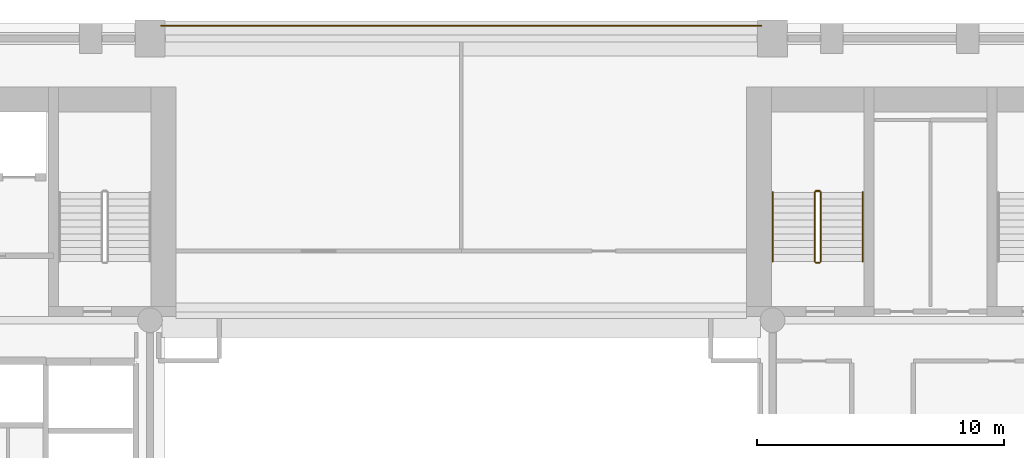
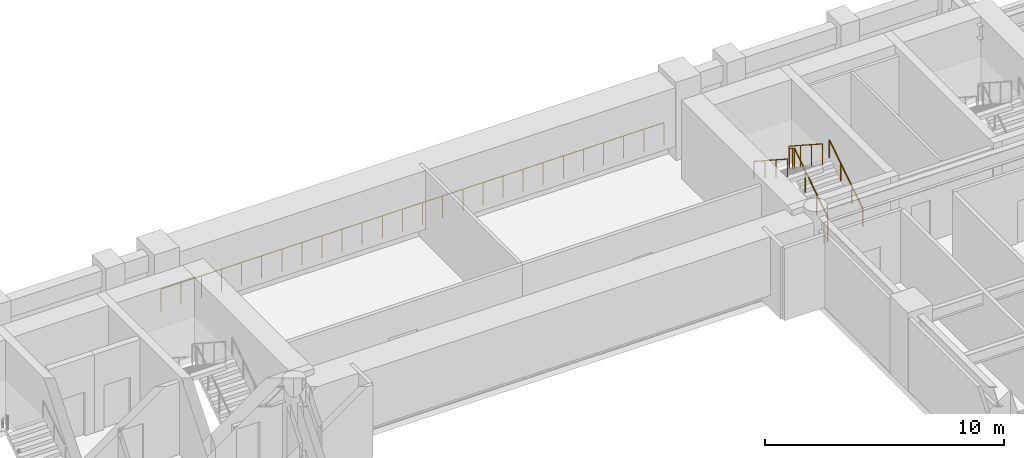
# One storey, part 7 of 8: 7 railings.
"""IFC4 building model written with IfcOpenShell, lengths in metres."""

from ifc_helpers import new_model, si_unit, direction, frame, origin, origin_2d, place, context, subcontext, project, spatial, circle, extrude, material, type_object, element, save


model = new_model("IFC4")

# Units and contexts
model_context = context("Model", 3, precision=1e-05, world=origin(), true_north=direction((0.0, 1.0)))
body_context = subcontext(model_context, "Body", "Model", "MODEL_VIEW")
ifc_project = project(units=[si_unit("LENGTHUNIT", "METRE"), si_unit("AREAUNIT", "SQUARE_METRE"), si_unit("VOLUMEUNIT", "CUBIC_METRE"), si_unit("PLANEANGLEUNIT", "RADIAN"), si_unit("MASSUNIT", "GRAM", prefix="KILO")], contexts=[model_context])

# Site, building, storey
site_placement = place(None, origin())
site = spatial("IfcSite", under=ifc_project, at=site_placement, CompositionType="ELEMENT")
building_placement = place(site_placement, origin())
building = spatial("IfcBuilding", under=site, at=building_placement, Name="Sulina Concourse Tower", CompositionType="ELEMENT")
storey_placement = place(building_placement, frame((0.0, 0.0, 42.60009765625)))
storey = spatial("IfcBuildingStorey", under=building, at=storey_placement, Name="L10", CompositionType="ELEMENT", Elevation=42.60009765625)

# Railings
ifc_material_1 = material(Name="Galvanised steel railing", Category="steel")
railing_type_1 = type_object("IfcRailingType", Name="Core Stair Steel Guardrail 1150mm", PredefinedType="GUARDRAIL", material=ifc_material_1)
railing_1_placement = place(storey_placement, frame((16.85009765625, 45.919921875, 0.0)))
element("IfcRailing", 1, at=railing_1_placement, inside=storey, type_object=railing_type_1, Name="L10 perimeter edge safety guardrail BRGN", PredefinedType="GUARDRAIL", context=body_context, shape_type="SweptSolid", body=[
    extrude(circle(Radius=0.02392578125, at=origin_2d()), frame((0.0, 0.0, 1.1259765625), z_axis=(1.0, 0.0, 0.0), x_axis=(0.0, 1.0, 0.0)), (0.0, 0.0, 1.0), 24.2998046875),
    extrude(circle(Radius=0.02099609375, at=origin_2d()), origin(), (0.0, 0.0, 1.0), 1.101806640625),
    extrude(circle(Radius=0.02099609375, at=origin_2d()), frame((0.971923828125, 0.0, 0.0)), (0.0, 0.0, 1.0), 1.101806640625),
    extrude(circle(Radius=0.02099609375, at=origin_2d()), frame((1.944091796875, 0.0, 0.0)), (0.0, 0.0, 1.0), 1.101806640625),
    extrude(circle(Radius=0.02099609375, at=origin_2d()), frame((2.916015625, 0.0, 0.0)), (0.0, 0.0, 1.0), 1.101806640625),
    extrude(circle(Radius=0.02099609375, at=origin_2d()), frame((3.887939453125, 0.0, 0.0)), (0.0, 0.0, 1.0), 1.101806640625),
    extrude(circle(Radius=0.02099609375, at=origin_2d()), frame((4.85986328125, 0.0, 0.0)), (0.0, 0.0, 1.0), 1.101806640625),
    extrude(circle(Radius=0.02099609375, at=origin_2d()), frame((5.83203125, 0.0, 0.0)), (0.0, 0.0, 1.0), 1.101806640625),
    extrude(circle(Radius=0.02099609375, at=origin_2d()), frame((6.803955078125, 0.0, 0.0)), (0.0, 0.0, 1.0), 1.101806640625),
    extrude(circle(Radius=0.02099609375, at=origin_2d()), frame((7.77587890625, 0.0, 0.0)), (0.0, 0.0, 1.0), 1.101806640625),
    extrude(circle(Radius=0.02099609375, at=origin_2d()), frame((8.748046875, 0.0, 0.0)), (0.0, 0.0, 1.0), 1.101806640625),
    extrude(circle(Radius=0.02099609375, at=origin_2d()), frame((9.719970703125, 0.0, 0.0)), (0.0, 0.0, 1.0), 1.101806640625),
    extrude(circle(Radius=0.02099609375, at=origin_2d()), frame((10.69189453125, 0.0, 0.0)), (0.0, 0.0, 1.0), 1.101806640625),
    extrude(circle(Radius=0.02099609375, at=origin_2d()), frame((11.663818359375, 0.0, 0.0)), (0.0, 0.0, 1.0), 1.101806640625),
    extrude(circle(Radius=0.02099609375, at=origin_2d()), frame((12.635986328125, 0.0, 0.0)), (0.0, 0.0, 1.0), 1.101806640625),
    extrude(circle(Radius=0.02099609375, at=origin_2d()), frame((13.60791015625, 0.0, 0.0)), (0.0, 0.0, 1.0), 1.101806640625),
    extrude(circle(Radius=0.02099609375, at=origin_2d()), frame((14.579833984375, 0.0, 0.0)), (0.0, 0.0, 1.0), 1.101806640625),
    extrude(circle(Radius=0.02099609375, at=origin_2d()), frame((15.5517578125, 0.0, 0.0)), (0.0, 0.0, 1.0), 1.101806640625),
    extrude(circle(Radius=0.02099609375, at=origin_2d()), frame((16.52392578125, 0.0, 0.0)), (0.0, 0.0, 1.0), 1.101806640625),
    extrude(circle(Radius=0.02099609375, at=origin_2d()), frame((17.495849609375, 0.0, 0.0)), (0.0, 0.0, 1.0), 1.101806640625),
    extrude(circle(Radius=0.02099609375, at=origin_2d()), frame((18.4677734375, 0.0, 0.0)), (0.0, 0.0, 1.0), 1.101806640625),
    extrude(circle(Radius=0.02099609375, at=origin_2d()), frame((19.43994140625, 0.0, 0.0)), (0.0, 0.0, 1.0), 1.101806640625),
    extrude(circle(Radius=0.02099609375, at=origin_2d()), frame((20.411865234375, 0.0, 0.0)), (0.0, 0.0, 1.0), 1.101806640625),
    extrude(circle(Radius=0.02099609375, at=origin_2d()), frame((21.3837890625, 0.0, 0.0)), (0.0, 0.0, 1.0), 1.101806640625),
    extrude(circle(Radius=0.02099609375, at=origin_2d()), frame((22.355712890625, 0.0, 0.0)), (0.0, 0.0, 1.0), 1.101806640625),
    extrude(circle(Radius=0.02099609375, at=origin_2d()), frame((23.327880859375, 0.0, 0.0)), (0.0, 0.0, 1.0), 1.101806640625),
    extrude(circle(Radius=0.02099609375, at=origin_2d()), frame((24.2998046875, 0.0, 0.0)), (0.0, 0.0, 1.0), 1.101806640625),
])
railing_2_placement = place(storey_placement, frame((43.554931640625, 36.375, 0.181640625)))
element("IfcRailing", 2, at=railing_2_placement, inside=storey, type_object=railing_type_1, Name="L10 ST-3 stair guard 1", PredefinedType="GUARDRAIL", context=body_context, shape_type="SweptSolid", body=[
    extrude(circle(Radius=0.02392578125, at=origin_2d()), frame((0.0, 0.0, 1.076171875), z_axis=(0.0, 0.838672427954, 0.544636170843), x_axis=(-1.0, 0.0, 0.0)), (0.0, 0.0, 1.0), 3.338623046875),
    extrude(circle(Radius=0.02099609375, at=origin_2d()), origin(), (0.0, 0.0, 1.0), 1.052001953125),
    extrude(circle(Radius=0.02099609375, at=origin_2d()), frame((0.0, 0.933349609375, 0.606201171875)), (0.0, 0.0, 1.0), 1.052001953125),
    extrude(circle(Radius=0.02099609375, at=origin_2d()), frame((0.0, 1.86669921875, 1.212158203125)), (0.0, 0.0, 1.0), 1.052001953125),
    extrude(circle(Radius=0.02099609375, at=origin_2d()), frame((0.0, 2.800048828125, 1.818359375)), (0.0, 0.0, 1.0), 1.052001953125),
])
railing_3_placement = place(storey_placement, frame((43.5048828125, 39.22509765625, 2.0)))
element("IfcRailing", 3, at=railing_3_placement, inside=storey, type_object=railing_type_1, Name="L10 ST-3 stair guard 2", PredefinedType="GUARDRAIL", context=body_context, shape_type="SweptSolid", body=[
    extrude(circle(Radius=0.02392578125, at=origin_2d()), frame((0.0, 0.0, 1.076171875), z_axis=(-1.0, 0.0, 0.0), x_axis=(0.0, -1.0, 0.0)), (0.0, 0.0, 1.0), 0.14990234375),
    extrude(circle(Radius=0.02099609375, at=origin_2d()), origin(), (0.0, 0.0, 1.0), 1.052001953125),
    extrude(circle(Radius=0.02099609375, at=origin_2d()), frame((-0.14990234375, 0.0, 0.0)), (0.0, 0.0, 1.0), 1.052001953125),
])
railing_4_placement = place(storey_placement, frame((43.304931640625, 39.175048828125, 2.181640625)))
element("IfcRailing", 4, at=railing_4_placement, inside=storey, type_object=railing_type_1, Name="L10 ST-3 stair guard 3", PredefinedType="GUARDRAIL", context=body_context, shape_type="SweptSolid", body=[
    extrude(circle(Radius=0.02392578125, at=origin_2d()), frame((0.0, 0.0, 1.076171875), z_axis=(0.0, -0.838672427954, 0.544636170843), x_axis=(1.0, 0.0, 0.0)), (0.0, 0.0, 1.0), 3.338623046875),
    extrude(circle(Radius=0.02099609375, at=origin_2d()), origin(), (0.0, 0.0, 1.0), 1.052001953125),
    extrude(circle(Radius=0.02099609375, at=origin_2d()), frame((0.0, -0.933349609375, 0.606201171875)), (0.0, 0.0, 1.0), 1.052001953125),
    extrude(circle(Radius=0.02099609375, at=origin_2d()), frame((0.0, -1.86669921875, 1.212158203125)), (0.0, 0.0, 1.0), 1.052001953125),
    extrude(circle(Radius=0.02099609375, at=origin_2d()), frame((0.0, -2.800048828125, 1.818359375)), (0.0, 0.0, 1.0), 1.052001953125),
])
railing_5_placement = place(storey_placement, frame((43.5048828125, 36.324951171875, 0.0)))
element("IfcRailing", 5, at=railing_5_placement, inside=storey, type_object=railing_type_1, Name="L10 ST-3 stair guard 4", PredefinedType="GUARDRAIL", context=body_context, shape_type="SweptSolid", body=[
    extrude(circle(Radius=0.02392578125, at=origin_2d()), frame((0.0, 0.0, 1.076171875), z_axis=(-1.0, 0.0, 0.0), x_axis=(0.0, -1.0, 0.0)), (0.0, 0.0, 1.0), 0.14990234375),
    extrude(circle(Radius=0.02099609375, at=origin_2d()), origin(), (0.0, 0.0, 1.0), 1.052001953125),
    extrude(circle(Radius=0.02099609375, at=origin_2d()), frame((-0.14990234375, 0.0, 0.0)), (0.0, 0.0, 1.0), 1.052001953125),
])
ifc_material_2 = material(Name="Galvanised steel railing", Category="steel")
railing_type_2 = type_object("IfcRailingType", Name="Stair Wall Steel Handrail 920mm", PredefinedType="HANDRAIL", material=ifc_material_2)
railing_6_placement = place(storey_placement, frame((45.2548828125, 36.375, 0.181640625)))
element("IfcRailing", 6, at=railing_6_placement, inside=storey, type_object=railing_type_2, Name="L10 ST-3 stair handrail 1", PredefinedType="HANDRAIL", context=body_context, shape_type="SweptSolid", body=[
    extrude(circle(Radius=0.02392578125, at=origin_2d()), frame((0.0, 0.0, 0.89599609375), z_axis=(0.0, 0.838672427954, 0.544636170843), x_axis=(-1.0, 0.0, 0.0)), (0.0, 0.0, 1.0), 3.338623046875),
    extrude(circle(Radius=0.02099609375, at=origin_2d()), origin(), (0.0, 0.0, 1.0), 0.871826171875),
    extrude(circle(Radius=0.02099609375, at=origin_2d()), frame((0.0, 0.933349609375, 0.606201171875)), (0.0, 0.0, 1.0), 0.871826171875),
    extrude(circle(Radius=0.02099609375, at=origin_2d()), frame((0.0, 1.86669921875, 1.212158203125)), (0.0, 0.0, 1.0), 0.871826171875),
    extrude(circle(Radius=0.02099609375, at=origin_2d()), frame((0.0, 2.800048828125, 1.818359375)), (0.0, 0.0, 1.0), 0.871826171875),
])
railing_7_placement = place(storey_placement, frame((41.60498046875, 39.175048828125, 2.181640625)))
element("IfcRailing", 7, at=railing_7_placement, inside=storey, type_object=railing_type_2, Name="L10 ST-3 stair handrail 2", PredefinedType="HANDRAIL", context=body_context, shape_type="SweptSolid", body=[
    extrude(circle(Radius=0.02392578125, at=origin_2d()), frame((0.0, 0.0, 0.89599609375), z_axis=(0.0, -0.838672427954, 0.544636170843), x_axis=(1.0, 0.0, 0.0)), (0.0, 0.0, 1.0), 3.338623046875),
    extrude(circle(Radius=0.02099609375, at=origin_2d()), origin(), (0.0, 0.0, 1.0), 0.871826171875),
    extrude(circle(Radius=0.02099609375, at=origin_2d()), frame((0.0, -0.933349609375, 0.606201171875)), (0.0, 0.0, 1.0), 0.871826171875),
    extrude(circle(Radius=0.02099609375, at=origin_2d()), frame((0.0, -1.86669921875, 1.212158203125)), (0.0, 0.0, 1.0), 0.871826171875),
    extrude(circle(Radius=0.02099609375, at=origin_2d()), frame((0.0, -2.800048828125, 1.818359375)), (0.0, 0.0, 1.0), 0.871826171875),
])

save(model, "model.ifc")
